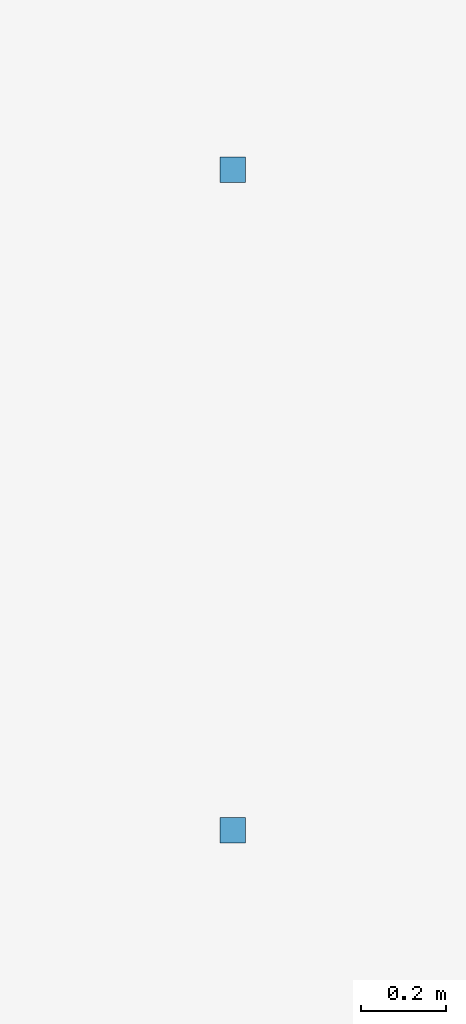
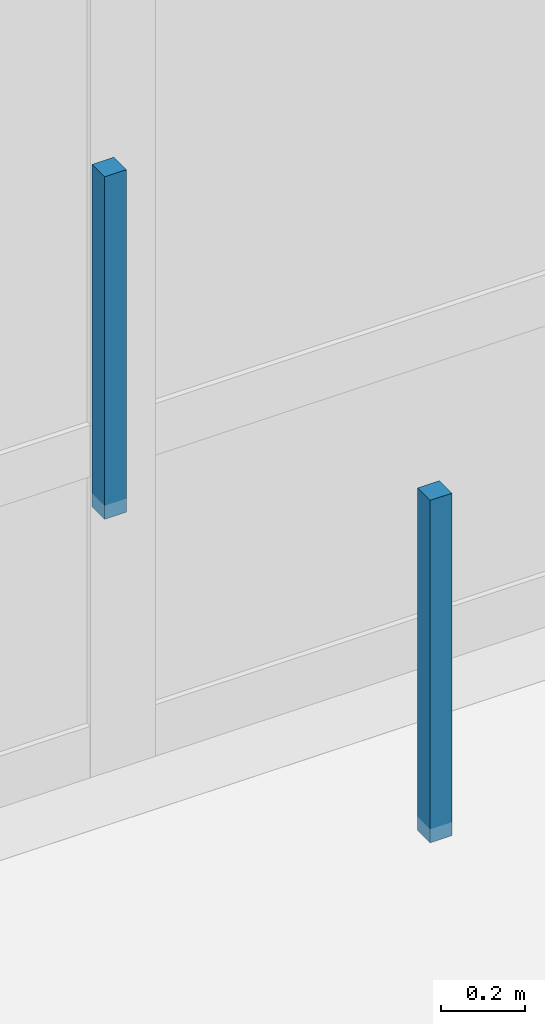
# One storey, part 80 of 140: 2 discrete accessories.
"""IFC4 building model written with IfcOpenShell, lengths in metres."""

from ifc_helpers import new_model, si_unit, direction, frame, origin, origin_2d, place, context, subcontext, project, spatial, rectangle, extrude, material, type_object, element, save


model = new_model("IFC4")

# Units and contexts
model_context = context("Model", 3, precision=1e-05, world=origin(), true_north=direction((0.0, 1.0)))
body_context = subcontext(model_context, "Body", "Model", "MODEL_VIEW")
ifc_project = project(units=[si_unit("LENGTHUNIT", "METRE"), si_unit("AREAUNIT", "SQUARE_METRE"), si_unit("VOLUMEUNIT", "CUBIC_METRE"), si_unit("PLANEANGLEUNIT", "RADIAN"), si_unit("MASSUNIT", "GRAM", prefix="KILO")], contexts=[model_context])

# Site, building, storey
site_placement = place(None, origin())
site = spatial("IfcSite", under=ifc_project, at=site_placement, CompositionType="ELEMENT")
building_placement = place(site_placement, origin())
building = spatial("IfcBuilding", under=site, at=building_placement, Name="Telukmera Botanical Conservatory", CompositionType="ELEMENT")
storey_placement = place(building_placement, origin())
storey = spatial("IfcBuildingStorey", under=building, at=storey_placement, Name="L00", CompositionType="ELEMENT", Elevation=0.0)

# Discrete accessories
ifc_material = material(Name="Steel S355", Category="steel")
discrete_accessory_type = type_object("IfcDiscreteAccessoryType", Name="ACC-CEIL-HGR", PredefinedType="BRACKET", material=ifc_material)
for number, where, z_axis, x_axis, name in (
    (1, (28.174072265625, 68.949951171875, 4.2099609375), (0.0, 0.0, 1.0), (1.0, 0.0, 0.0), "L00 Suspended Ceiling Hanger Rod 016-1"),
    (2, (28.174072265625, 70.5, 4.2099609375), (0.0, 0.0, 1.0), (1.0, 0.0, 0.0), "L00 Suspended Ceiling Hanger Rod 016-2"),
):
    element("IfcDiscreteAccessory", number, at=place(storey_placement, frame(where, z_axis=z_axis, x_axis=x_axis)), inside=storey, type_object=discrete_accessory_type, Name=name, PredefinedType="BRACKET", context=body_context, shape_type="SweptSolid", body=[
        extrude(rectangle(XDim=0.06005859375, YDim=0.06005859375, at=origin_2d()), origin(), (0.0, 0.0, 1.0), 0.9951171875),
    ])

save(model, "model.ifc")
